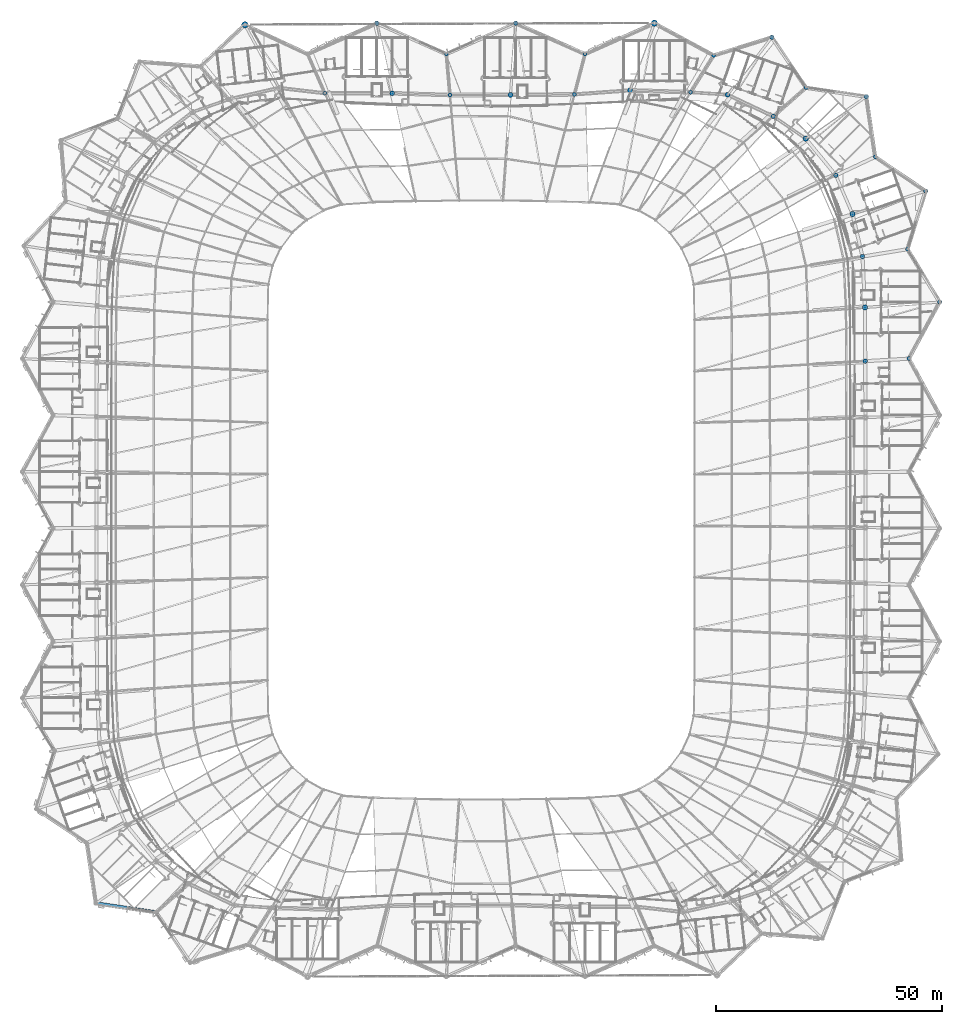
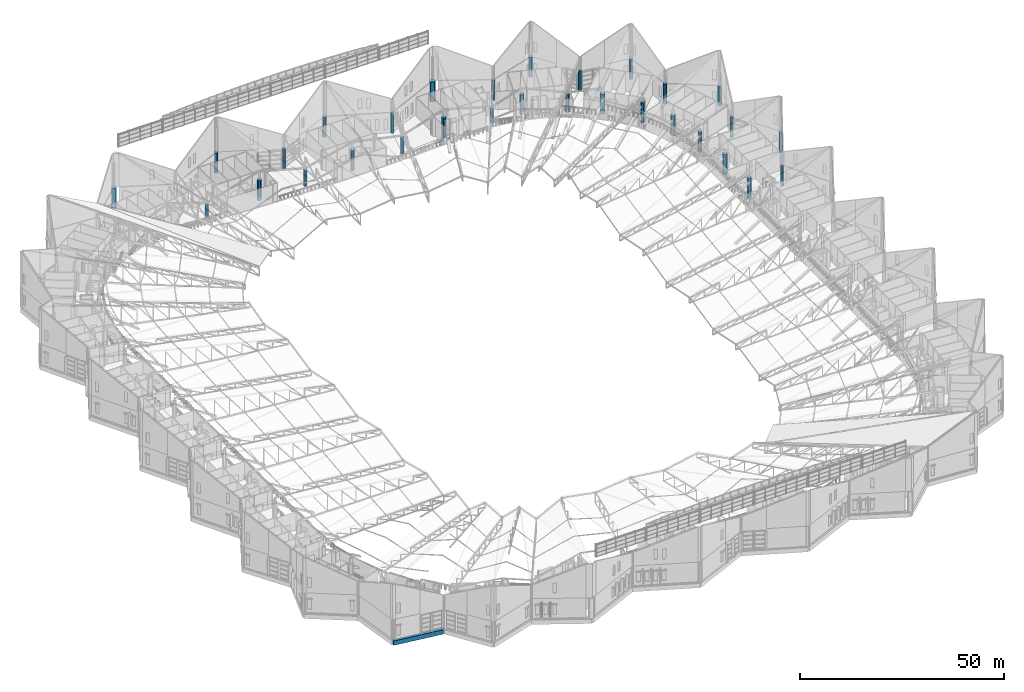
# One storey, part 2 of 344: 30 columns, 1 beam.
"""IFC4 building model written with IfcOpenShell, lengths in metres."""

from ifc_helpers import new_model, si_unit, direction, frame, origin, origin_2d, place, context, subcontext, project, spatial, rectangle, circle, extrude, material, material_profile, profile_set, type_object, element, save


model = new_model("IFC4")

# Units and contexts
model_context = context("Model", 3, precision=1e-05, world=origin(), true_north=direction((0.0, 1.0)))
body_context = subcontext(model_context, "Body", "Model", "MODEL_VIEW")
ifc_project = project(units=[si_unit("LENGTHUNIT", "METRE"), si_unit("AREAUNIT", "SQUARE_METRE"), si_unit("VOLUMEUNIT", "CUBIC_METRE"), si_unit("PLANEANGLEUNIT", "RADIAN"), si_unit("MASSUNIT", "GRAM", prefix="KILO")], contexts=[model_context])

# Site, building, storey
site_placement = place(None, origin())
site = spatial("IfcSite", under=ifc_project, at=site_placement, CompositionType="ELEMENT")
building_placement = place(site_placement, origin())
building = spatial("IfcBuilding", under=site, at=building_placement, Name="Meseta Stadium", CompositionType="ELEMENT")
storey_placement = place(building_placement, frame((0.0, 0.0, 24.0)))
storey = spatial("IfcBuildingStorey", under=building, at=storey_placement, Name="L04", CompositionType="ELEMENT", Elevation=24.0)

# Columns
ifc_material_1 = material(Name="Concrete C40/50", Category="concrete")
ifc_material_profile_1 = material_profile(ifc_material_1, circle(Radius=0.5, at=origin_2d()), Name="RC D1000")
ifc_profile_set_1 = profile_set([ifc_material_profile_1], Name="Concrete C40/50")
column_type_1 = type_object("IfcColumnType", Name="RC column D1000", PredefinedType="COLUMN", material=ifc_profile_set_1)
for number, where, z_axis, x_axis, name in (
    (1, (84.92529296875, 30.681640625, 0.0), (0.0, 0.0, 1.0), (1.0, 0.0, 0.0), "Column C10 L04 frame 7 line P"),
    (2, (101.39990234375, 43.75, 0.0), (0.0, 0.0, 1.0), (1.0, 0.0, 0.0), "Column C10 L04 frame 8 line R"),
    (3, (84.3251953125, 53.801513671875, 0.0), (0.0, 0.0, 1.0), (1.0, 0.0, 0.0), "Column C10 L04 frame 9 line P"),
    (4, (98.291015625, 68.29736328125, 0.0), (0.0, 0.0, 1.0), (1.0, 0.0, 0.0), "Column C10 L04 frame 10 line R"),
    (5, (78.4453125, 71.756103515625, 0.0), (0.0, 0.0, 1.0), (1.0, 0.0, 0.0), "Column C10 L04 frame 11 line P"),
    (6, (85.173828125, 89.173828125, 0.0), (0.0, 0.0, 1.0), (1.0, 0.0, 0.0), "Column C10 L04 frame 12 line R"),
):
    element("IfcColumn", number, at=place(storey_placement, frame(where, z_axis=z_axis, x_axis=x_axis)), inside=storey, type_object=column_type_1, Name=name, PredefinedType="COLUMN", context=body_context, shape_type="SweptSolid", body=[
        extrude(circle(Radius=0.5, at=origin_2d()), origin(), (0.0, 0.0, 1.0), 6.0),
    ])
column_1_placement = place(storey_placement, frame((64.6220703125, 84.79248046875, 0.0), z_axis=(0.0, 0.0, 1.0), x_axis=(1.0, 0.0, 0.0)))
element("IfcColumn", 7, at=column_1_placement, inside=storey, type_object=column_type_1, Name="Column C10 L04 frame 13 line P", PredefinedType="COLUMN", context=body_context, shape_type="SweptSolid", body=[
    extrude(circle(Radius=0.5, at=origin_2d()), origin(), (0.0, 0.0, 1.0), 5.300048828125),
])
for number, where, z_axis, x_axis, name in (
    (8, (64.29736328125, 102.291015625, 0.0), (0.0, 0.0, 1.0), (1.0, 0.0, 0.0), "Column C10 L04 frame 14 line R"),
    (9, (7.666748046875, 105.39990234375, 0.0), (0.0, 0.0, 1.0), (1.0, 0.0, 0.0), "Column C10 L04 frame 18 line R"),
    (10, (-23.0, 105.39990234375, 0.0), (0.0, 0.0, 1.0), (1.0, 0.0, 0.0), "Column C10 L04 frame 20 line R"),
):
    element("IfcColumn", number, at=place(storey_placement, frame(where, z_axis=z_axis, x_axis=x_axis)), inside=storey, type_object=column_type_1, Name=name, PredefinedType="COLUMN", context=body_context, shape_type="SweptSolid", body=[
        extrude(circle(Radius=0.5, at=origin_2d()), origin(), (0.0, 0.0, 1.0), 6.0),
    ])
ifc_material_2 = material(Name="Concrete C40/50", Category="concrete")
ifc_material_profile_2 = material_profile(ifc_material_2, circle(Radius=0.550048828125, at=origin_2d()), Name="RC D1100")
ifc_profile_set_2 = profile_set([ifc_material_profile_2], Name="Concrete C40/50")
column_type_2 = type_object("IfcColumnType", Name="RC column D1100", PredefinedType="COLUMN", material=ifc_profile_set_2)
for number, where, z_axis, x_axis, name in (
    (11, (54.523193359375, 89.579345703125, 0.0), (0.0, 0.0, 1.0), (1.0, 0.0, 0.0), "Column C11 L04 frame 14 line P"),
    (12, (32.944091796875, 90.551025390625, 0.0), (0.0, 0.0, 1.0), (1.0, 0.0, 0.0), "Column C11 L04 frame 16 line P"),
    (13, (6.51708984375, 89.54638671875, 0.0), (0.0, 0.0, 1.0), (1.0, 0.0, 0.0), "Column C11 L04 frame 18 line P"),
    (14, (-19.62744140625, 89.90380859375, 0.0), (0.0, 0.0, 1.0), (1.0, 0.0, 0.0), "Column C11 L04 frame 20 line P"),
):
    element("IfcColumn", number, at=place(storey_placement, frame(where, z_axis=z_axis, x_axis=x_axis)), inside=storey, type_object=column_type_2, Name=name, PredefinedType="COLUMN", context=body_context, shape_type="SweptSolid", body=[
        extrude(circle(Radius=0.550048828125, at=origin_2d()), origin(), (0.0, 0.0, 1.0), 6.0),
    ])
ifc_material_3 = material(Name="Concrete C40/50", Category="concrete")
ifc_material_profile_3 = material_profile(ifc_material_3, circle(Radius=0.60009765625, at=origin_2d()), Name="RC D1200")
ifc_profile_set_3 = profile_set([ifc_material_profile_3], Name="Concrete C40/50")
column_type_3 = type_object("IfcColumnType", Name="RC column D1200", PredefinedType="COLUMN", material=ifc_profile_set_3)
for number, where, z_axis, x_axis, name in (
    (15, (84.884033203125, 42.5615234375, 0.0), (0.0, 0.0, 1.0), (1.0, 0.0, 0.0), "Column C12 L04 frame 8 line P"),
    (16, (82.119873046875, 63.191162109375, 0.0), (0.0, 0.0, 1.0), (1.0, 0.0, 0.0), "Column C12 L04 frame 10 line P"),
    (17, (71.775390625, 79.888916015625, 0.0), (0.0, 0.0, 1.0), (1.0, 0.0, 0.0), "Column C12 L04 frame 12 line P"),
):
    element("IfcColumn", number, at=place(storey_placement, frame(where, z_axis=z_axis, x_axis=x_axis)), inside=storey, type_object=column_type_3, Name=name, PredefinedType="COLUMN", context=body_context, shape_type="SweptSolid", body=[
        extrude(circle(Radius=0.60009765625, at=origin_2d()), origin(), (0.0, 0.0, 1.0), 6.0),
    ])
ifc_material_4 = material(Name="Concrete C40/50", Category="concrete")
ifc_material_profile_4 = material_profile(ifc_material_4, circle(Radius=0.699951171875, at=origin_2d()), Name="RC D1400")
ifc_profile_set_4 = profile_set([ifc_material_profile_4], Name="Concrete C40/50")
column_type_4 = type_object("IfcColumnType", Name="RC column D1400", PredefinedType="COLUMN", material=ifc_profile_set_4)
for number, where, z_axis, x_axis, name in (
    (18, (38.333251953125, 105.39990234375, 0.0), (0.0, 0.0, 1.0), (1.0, 0.0, 0.0), "Column C14 L04 frame 16 line R"),
    (19, (-52.202880859375, 105.0517578125, 0.0), (0.0, 0.0, 1.0), (1.0, 0.0, 0.0), "Column C14 L04 frame 22 line R"),
):
    element("IfcColumn", number, at=place(storey_placement, frame(where, z_axis=z_axis, x_axis=x_axis)), inside=storey, type_object=column_type_4, Name=name, PredefinedType="COLUMN", context=body_context, shape_type="SweptSolid", body=[
        extrude(circle(Radius=0.699951171875, at=origin_2d()), origin(), (0.0, 0.0, 1.0), 6.0),
    ])
ifc_material_5 = material(Name="Concrete C40/50", Category="concrete")
ifc_material_profile_5 = material_profile(ifc_material_5, circle(Radius=0.449951171875, at=origin_2d()), Name="RC D900")
ifc_profile_set_5 = profile_set([ifc_material_profile_5], Name="Concrete C40/50")
column_type_5 = type_object("IfcColumnType", Name="RC column D900", PredefinedType="COLUMN", material=ifc_profile_set_5)
for number, where, z_axis, x_axis, name in (
    (20, (94.60009765625, 31.25, 0.0), (0.0, 0.0, 1.0), (1.0, 0.0, 0.0), "Column C9 L04 frame 7 line R"),
    (21, (94.29443359375, 55.44140625, 0.0), (0.0, 0.0, 1.0), (1.0, 0.0, 0.0), "Column C9 L04 frame 9 line R"),
    (22, (87.15087890625, 75.856689453125, 0.0), (0.0, 0.0, 1.0), (1.0, 0.0, 0.0), "Column C9 L04 frame 11 line R"),
    (23, (71.856689453125, 91.15087890625, 0.0), (0.0, 0.0, 1.0), (1.0, 0.0, 0.0), "Column C9 L04 frame 13 line R"),
):
    element("IfcColumn", number, at=place(storey_placement, frame(where, z_axis=z_axis, x_axis=x_axis)), inside=storey, type_object=column_type_5, Name=name, PredefinedType="COLUMN", context=body_context, shape_type="SweptSolid", body=[
        extrude(circle(Radius=0.449951171875, at=origin_2d()), origin(), (0.0, 0.0, 1.0), 6.0),
    ])
column_2_placement = place(storey_placement, frame((46.333251953125, 90.126220703125, 0.0), z_axis=(0.0, 0.0, 1.0), x_axis=(1.0, 0.0, 0.0)))
element("IfcColumn", 24, at=column_2_placement, inside=storey, type_object=column_type_5, Name="Column C9 L04 frame 15 line P", PredefinedType="COLUMN", context=body_context, shape_type="SweptSolid", body=[
    extrude(circle(Radius=0.449951171875, at=origin_2d()), origin(), (0.0, 0.0, 1.0), 4.14990234375),
])
column_3_placement = place(storey_placement, frame((51.44140625, 98.29443359375, 0.0), z_axis=(0.0, 0.0, 1.0), x_axis=(1.0, 0.0, 0.0)))
element("IfcColumn", 25, at=column_3_placement, inside=storey, type_object=column_type_5, Name="Column C9 L04 frame 15 line R", PredefinedType="COLUMN", context=body_context, shape_type="SweptSolid", body=[
    extrude(circle(Radius=0.449951171875, at=origin_2d()), origin(), (0.0, 0.0, 1.0), 6.0),
])
column_4_placement = place(storey_placement, frame((20.649658203125, 89.65625, 0.0), z_axis=(0.0, 0.0, 1.0), x_axis=(1.0, 0.0, 0.0)))
element("IfcColumn", 26, at=column_4_placement, inside=storey, type_object=column_type_5, Name="Column C9 L04 frame 17 line P", PredefinedType="COLUMN", context=body_context, shape_type="SweptSolid", body=[
    extrude(circle(Radius=0.449951171875, at=origin_2d()), origin(), (0.0, 0.0, 1.0), 4.800048828125),
])
column_5_placement = place(storey_placement, frame((23.0, 98.60009765625, 0.0), z_axis=(0.0, 0.0, 1.0), x_axis=(1.0, 0.0, 0.0)))
element("IfcColumn", 27, at=column_5_placement, inside=storey, type_object=column_type_5, Name="Column C9 L04 frame 17 line R", PredefinedType="COLUMN", context=body_context, shape_type="SweptSolid", body=[
    extrude(circle(Radius=0.449951171875, at=origin_2d()), origin(), (0.0, 0.0, 1.0), 6.0),
])
column_6_placement = place(storey_placement, frame((-6.870849609375, 89.517822265625, 0.0), z_axis=(0.0, 0.0, 1.0), x_axis=(1.0, 0.0, 0.0)))
element("IfcColumn", 28, at=column_6_placement, inside=storey, type_object=column_type_5, Name="Column C9 L04 frame 19 line P", PredefinedType="COLUMN", context=body_context, shape_type="SweptSolid", body=[
    extrude(circle(Radius=0.449951171875, at=origin_2d()), origin(), (0.0, 0.0, 1.0), 4.800048828125),
])
column_7_placement = place(storey_placement, frame((-7.666748046875, 98.60009765625, 0.0), z_axis=(0.0, 0.0, 1.0), x_axis=(1.0, 0.0, 0.0)))
element("IfcColumn", 29, at=column_7_placement, inside=storey, type_object=column_type_5, Name="Column C9 L04 frame 19 line R", PredefinedType="COLUMN", context=body_context, shape_type="SweptSolid", body=[
    extrude(circle(Radius=0.449951171875, at=origin_2d()), origin(), (0.0, 0.0, 1.0), 6.0),
])
column_8_placement = place(storey_placement, frame((-34.53076171875, 89.911865234375, 0.0), z_axis=(0.0, 0.0, 1.0), x_axis=(1.0, 0.0, 0.0)))
element("IfcColumn", 30, at=column_8_placement, inside=storey, type_object=column_type_5, Name="Column C9 L04 frame 21 line P", PredefinedType="COLUMN", context=body_context, shape_type="SweptSolid", body=[
    extrude(circle(Radius=0.449951171875, at=origin_2d()), origin(), (0.0, 0.0, 1.0), 3.89990234375),
])

# Beam
ifc_material_6 = material(Name="Concrete C40/50", Category="concrete")
ifc_material_profile_6 = material_profile(ifc_material_6, rectangle(XDim=0.800048828125, YDim=1.300048828125, at=origin_2d()), Name="RC 800x1300")
ifc_profile_set_6 = profile_set([ifc_material_profile_6], Name="Concrete C40/50")
beam_type = type_object("IfcBeamType", Name="RC beam 800x1300", PredefinedType="BEAM", material=ifc_profile_set_6)
beam_placement = place(storey_placement, frame((-85.173583984375, -89.173583984375, -1.050048828125), z_axis=(0.989155798373, -0.146870032835, 0.0), x_axis=(0.146870032835, 0.989155798373, 0.0)))
element("IfcBeam", 31, at=beam_placement, inside=storey, type_object=beam_type, Name="L04 ring beam frame 40 line R", PredefinedType="BEAM", context=body_context, shape_type="SweptSolid", body=[
    extrude(rectangle(XDim=0.800048828125, YDim=1.300048828125, at=origin_2d()), origin(), (0.0, 0.0, 1.0), 13.462890625),
])

save(model, "model.ifc")
